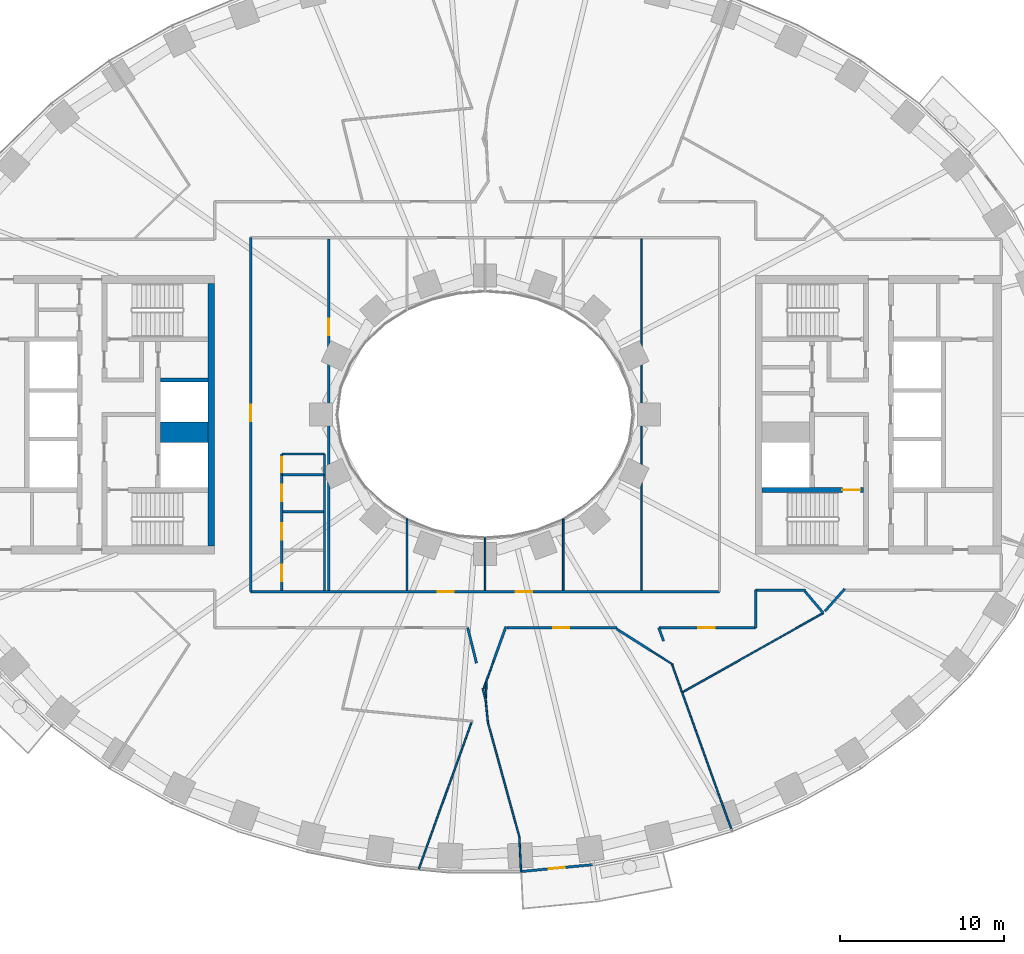
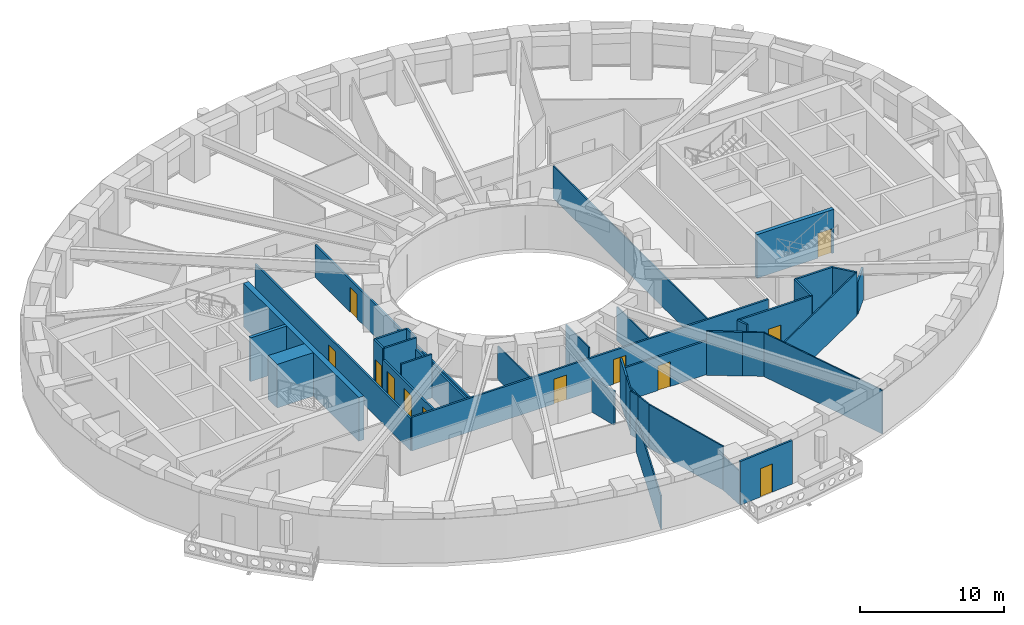
# One storey, part 4 of 16: 39 walls, 12 doors, 12 openings.
"""IFC4 building model written with IfcOpenShell, lengths in metres."""

import ifcopenshell
import ifcopenshell.guid

model = None  # the IFC model being written
_history = None  # IfcOwnerHistory: only IFC2X3 demands one
_inside = {}  # id of a spatial element -> (the spatial element, [elements in it])
_under = {}  # id of a project, library or spatial element -> (it, [spatial elements below it])
_declared = {}  # id of a project -> (the project, [libraries it declares])
_typed = {}  # id of a type object -> (the type object, [elements of that type])
_made_of = {}  # id of a material, layer set ... -> (it, [elements and type objects made of it])


def new_model(schema):
    """Start an empty IFC model of exactly this schema.

    Asked for "IFC4X3", IfcOpenShell would pick the latest addendum, in which some entities
    have other attributes; the version numbers below select the first issue.
    IFC2X3 requires an IfcOwnerHistory on every rooted entity: one is made here for all.
    """
    global model, _history
    if schema == "IFC4X3":
        model = ifcopenshell.file(schema_version=(4, 3, 0, 0))
    else:
        model = ifcopenshell.file(schema=schema)
    _inside.clear()
    _under.clear()
    _declared.clear()
    _typed.clear()
    _made_of.clear()
    _history = None
    if model.schema == "IFC2X3":
        org = make("IfcOrganization", Name="unknown")
        user = make(
            "IfcPersonAndOrganization",
            ThePerson=make("IfcPerson", FamilyName="unknown"),
            TheOrganization=org,
        )
        app = make(
            "IfcApplication",
            ApplicationDeveloper=org,
            Version="unknown",
            ApplicationFullName="unknown",
            ApplicationIdentifier="unknown",
        )
        _history = make(
            "IfcOwnerHistory",
            OwningUser=user,
            OwningApplication=app,
            ChangeAction="ADDED",
            CreationDate=0,
        )
    return model


def make(cls, **values):
    """One entity of the class cls with the attributes given. An attribute that is None is left unset."""
    return model.create_entity(
        cls, **{name: value for name, value in values.items() if value is not None}
    )


def rooted(cls, **values):
    """An entity with a GlobalId (a new one), such as an element, a storey or a relation."""
    return make(cls, GlobalId=ifcopenshell.guid.new(), OwnerHistory=_history, **values)


def si_unit(unit_type, name, prefix=None):
    """IfcSIUnit, for example si_unit("LENGTHUNIT", "METRE", prefix="MILLI")."""
    return make("IfcSIUnit", UnitType=unit_type, Prefix=prefix, Name=name)


def assignment(units):
    """IfcUnitAssignment: the units of a project."""
    return None if units is None else make("IfcUnitAssignment", Units=units)


def point(xyz):
    """IfcCartesianPoint."""
    return None if xyz is None else make("IfcCartesianPoint", Coordinates=xyz)


def direction(xyz):
    """IfcDirection."""
    return None if xyz is None else make("IfcDirection", DirectionRatios=xyz)


def frame(location, z_axis=None, x_axis=None):
    """IfcAxis2Placement3D, a coordinate frame: its origin and axes. An axis left out is left unset."""
    return make(
        "IfcAxis2Placement3D",
        Location=point(location),
        Axis=direction(z_axis),
        RefDirection=direction(x_axis),
    )


def frame_2d(location, x_axis=None):
    """IfcAxis2Placement2D, a coordinate frame in the plane: its origin and x axis."""
    return make(
        "IfcAxis2Placement2D", Location=point(location), RefDirection=direction(x_axis)
    )


def origin():
    """The frame at (0, 0, 0) with its axes left unset."""
    return frame((0.0, 0.0, 0.0))


def place(relative_to, where):
    """IfcLocalPlacement: puts the frame where relative to a parent placement (None: the world)."""
    return make(
        "IfcLocalPlacement", PlacementRelTo=relative_to, RelativePlacement=where
    )


def context(
    kind, dimensions, precision=None, world=None, true_north=None, identifier=None
):
    """IfcGeometricRepresentationContext, for example the 3D "Model" context."""
    return make(
        "IfcGeometricRepresentationContext",
        ContextIdentifier=identifier,
        ContextType=kind,
        CoordinateSpaceDimension=dimensions,
        Precision=precision,
        WorldCoordinateSystem=world,
        TrueNorth=true_north,
    )


def subcontext(parent, identifier, kind, view, scale=None):
    """IfcGeometricRepresentationSubContext, for example "Body" below "Model"."""
    return make(
        "IfcGeometricRepresentationSubContext",
        ContextIdentifier=identifier,
        ContextType=kind,
        ParentContext=parent,
        TargetScale=scale,
        TargetView=view,
    )


def project(units=None, contexts=None):
    """IfcProject with its units and contexts."""
    return rooted(
        "IfcProject",
        Name="project",
        RepresentationContexts=contexts,
        UnitsInContext=assignment(units),
    )


def spatial(cls, under=None, at=None, **own):
    """A site, building, storey or space (cls), placed at a placement, below another one or the project."""
    s = rooted(cls, ObjectPlacement=at, **own)
    if under is not None:
        _under.setdefault(under.id(), (under, []))[1].append(s)
    return s


def profile(cls, at=None, kind="AREA", **sizes):
    """A parametric profile (cls). Its sizes go by their IFC names, for example OverallWidth=200.0."""
    return make(cls, ProfileType=kind, Position=at, **sizes)


def rectangle(**sizes):
    """IfcRectangleProfileDef."""
    return profile("IfcRectangleProfileDef", **sizes)


def extrude(swept, where, along, depth):
    """IfcExtrudedAreaSolid: the profile swept, set in the frame where, extruded along a direction by depth."""
    return make(
        "IfcExtrudedAreaSolid",
        SweptArea=swept,
        Position=where,
        ExtrudedDirection=direction(along),
        Depth=depth,
    )


def shape(context_of_items, identifier, shape_type, items):
    """IfcShapeRepresentation: the items that make up one representation, for example the "Body"."""
    return make(
        "IfcShapeRepresentation",
        ContextOfItems=context_of_items,
        RepresentationIdentifier=identifier,
        RepresentationType=shape_type,
        Items=items,
    )


def material(Name=None, Category=None):
    """IfcMaterial."""
    return make("IfcMaterial", Name=Name, Category=Category)


def layer(
    of_material, thickness, ventilated=None, Name=None, Category=None, Priority=None
):
    """IfcMaterialLayer: one layer of a wall or slab, of a material (None: an air gap)."""
    return make(
        "IfcMaterialLayer",
        Material=of_material,
        LayerThickness=thickness,
        IsVentilated=ventilated,
        Name=Name,
        Category=Category,
        Priority=Priority,
    )


def layer_set(layers, Name=None):
    """IfcMaterialLayerSet."""
    return make("IfcMaterialLayerSet", MaterialLayers=layers, LayerSetName=Name)


def made_of(thing, what):
    """Note that an element or type object is made of a material, layer set ...; save() writes the relation."""
    if what is not None:
        _made_of.setdefault(what.id(), (what, []))[1].append(thing)
    return thing


def type_object(cls, material=None, **own):
    """A type object (cls), such as IfcWallType, which elements share."""
    return made_of(rooted(cls, **own), material)


def element(
    cls,
    number,
    at=None,
    inside=None,
    cuts=None,
    type_object=None,
    material=None,
    context=None,
    identifier="Body",
    shape_type=None,
    held_by="IfcProductDefinitionShape",
    body=None,
    shapes=None,
    **own,
):
    """One element of the class cls, such as IfcWall. Its Tag is "e" and its number.

    at: its placement. inside: the storey or other place that contains it. cuts: it is an
    opening in that element (IfcRelVoidsElement). A single representation is given by context,
    identifier, shape_type and body (its items); several are given by shapes. held_by: the class
    of the entity that holds the representations. save() writes the other relations.
    """
    e = rooted(cls, Tag="e%d" % number, ObjectPlacement=at, **own)
    if body is not None:
        shapes = [shape(context, identifier, shape_type, body)]
    if shapes is not None:
        e.Representation = make(held_by, Representations=shapes)
    if inside is not None:
        _inside.setdefault(inside.id(), (inside, []))[1].append(e)
    if cuts is not None:
        rooted(
            "IfcRelVoidsElement", RelatingBuildingElement=cuts, RelatedOpeningElement=e
        )
    if type_object is not None:
        _typed.setdefault(type_object.id(), (type_object, []))[1].append(e)
    return made_of(e, material)


def fill(opening, filler):
    """IfcRelFillsElement: the door or window that sits in an opening."""
    return rooted(
        "IfcRelFillsElement",
        RelatingOpeningElement=opening,
        RelatedBuildingElement=filler,
    )


def aggregate(whole, parts):
    """IfcRelAggregates: a whole, such as a stair, and the parts it consists of."""
    return rooted("IfcRelAggregates", RelatingObject=whole, RelatedObjects=parts)


def save(model, path):
    """Write the relations noted so far, then the file.

    IfcRelAggregates (storeys below a building ...), IfcRelContainedInSpatialStructure (elements
    in a storey), IfcRelDefinesByType, IfcRelAssociatesMaterial and IfcRelDeclares: one each for
    every whole, place, type object, material and project.
    """
    for whole, parts in _under.values():
        aggregate(whole, parts)
    for where, things in _inside.values():
        rooted(
            "IfcRelContainedInSpatialStructure",
            RelatedElements=things,
            RelatingStructure=where,
        )
    for kind, things in _typed.values():
        rooted("IfcRelDefinesByType", RelatedObjects=things, RelatingType=kind)
    for what, things in _made_of.values():
        rooted("IfcRelAssociatesMaterial", RelatedObjects=things, RelatingMaterial=what)
    for by, libraries in _declared.values():
        rooted("IfcRelDeclares", RelatingContext=by, RelatedDefinitions=libraries)
    model.write(path)


model = new_model("IFC4")

# Units and contexts
model_context = context("Model", 3, precision=1e-05, world=origin(), true_north=direction((0.0, 1.0)))
body_context = subcontext(model_context, "Body", "Model", "MODEL_VIEW")
ifc_project = project(units=[si_unit("LENGTHUNIT", "METRE"), si_unit("AREAUNIT", "SQUARE_METRE"), si_unit("VOLUMEUNIT", "CUBIC_METRE"), si_unit("PLANEANGLEUNIT", "RADIAN"), si_unit("MASSUNIT", "GRAM", prefix="KILO")], contexts=[model_context])

# Site, building, storey
site_placement = place(None, origin())
site = spatial("IfcSite", under=ifc_project, at=site_placement, CompositionType="ELEMENT")
building_placement = place(site_placement, origin())
building = spatial("IfcBuilding", under=site, at=building_placement, Name="Noorbagh Ring Tower", CompositionType="ELEMENT")
storey_placement = place(building_placement, frame((0.0, 0.0, 42.5)))
storey = spatial("IfcBuildingStorey", under=building, at=storey_placement, Name="L08", CompositionType="ELEMENT", Elevation=42.5)

# Wall, opening, door
ifc_material_1 = material(Name="Gypsum board on steel studs", Category="steel")
ifc_layer_1 = layer(ifc_material_1, 0.14990234375)
ifc_layer_set_1 = layer_set([ifc_layer_1], Name="Gypsum board on steel studs")
wall_type_1 = type_object("IfcWallType", Name="COMPARTMENT PARTITION 150 EI 60", PredefinedType="PARTITIONING", material=ifc_layer_set_1)
wall_1_placement = place(storey_placement, frame((-12.39990234375, -3.659912109375, 0.0), z_axis=(0.0, 0.0, 1.0), x_axis=(0.0, 1.0, 0.0)))
wall_1 = element("IfcWall", 1, at=wall_1_placement, inside=storey, type_object=wall_type_1, Name="L08/wall/P22", PredefinedType="PARTITIONING", context=body_context, shape_type="SweptSolid", body=[
    extrude(rectangle(XDim=1.260009765625, YDim=0.14990234375, at=frame_2d((0.6298828125, 0.0))), origin(), (0.0, 0.0, 1.0), 3.699951171875),
])
opening_1_placement = place(wall_1_placement, frame((0.14990234375, 0.0, 0.0)))
opening_1 = element("IfcOpeningElement", 2, at=opening_1_placement, cuts=wall_1, Name="Opening D4", PredefinedType="OPENING", context=body_context, shape_type="SweptSolid", body=[
    extrude(rectangle(XDim=0.89990234375, YDim=2.10009765625, at=frame_2d((0.449951171875, 1.050048828125))), frame((0.0, 0.0849609375, 0.0), z_axis=(0.0, -1.0, 0.0), x_axis=(1.0, 0.0, 0.0)), (0.0, 0.0, 1.0), 0.169921875),
])
ifc_material_2 = material(Name="Timber, painted", Category="wood")
door_type_1 = type_object("IfcDoorType", Name="DOOR 900 X 2100 FD60", OperationType="SINGLE_SWING_LEFT", PredefinedType="DOOR", material=ifc_material_2)
door_1_placement = place(opening_1_placement, origin())
door_1 = element("IfcDoor", 3, at=door_1_placement, inside=storey, type_object=door_type_1, Name="L08-D05", OperationType="SINGLE_SWING_LEFT", OverallHeight=2.10009765625, OverallWidth=0.89990234375, PredefinedType="DOOR", context=body_context, shape_type="SweptSolid", body=[
    extrude(rectangle(XDim=0.89990234375, YDim=2.10009765625, at=frame_2d((0.449951171875, 1.050048828125))), frame((0.0, 0.02490234375, 0.0), z_axis=(0.0, -1.0, 0.0), x_axis=(1.0, 0.0, 0.0)), (0.0, 0.0, 1.0), 0.050048828125),
])
fill(opening_1, door_1)

# Walls
wall_2_placement = place(storey_placement, frame((-12.39990234375, -3.659912109375, 0.0), z_axis=(0.0, 0.0, 1.0), x_axis=(1.0, 0.0, 0.0)))
element("IfcWall", 4, at=wall_2_placement, inside=storey, type_object=wall_type_1, Name="L08/wall/P23", PredefinedType="PARTITIONING", context=body_context, shape_type="SweptSolid", body=[
    extrude(rectangle(XDim=2.599853515625, YDim=0.14990234375, at=frame_2d((1.2998046875, 0.0))), origin(), (0.0, 0.0, 1.0), 3.699951171875),
])
wall_3_placement = place(storey_placement, frame((-12.39990234375, -2.39990234375, 0.0), z_axis=(0.0, 0.0, 1.0), x_axis=(1.0, 0.0, 0.0)))
element("IfcWall", 5, at=wall_3_placement, inside=storey, type_object=wall_type_1, Name="L08/wall/P24", PredefinedType="PARTITIONING", context=body_context, shape_type="SweptSolid", body=[
    extrude(rectangle(XDim=2.595947265625, YDim=0.14990234375, at=frame_2d((1.2978515625, 0.0))), origin(), (0.0, 0.0, 1.0), 3.699951171875),
])
wall_4_placement = place(storey_placement, frame((-9.800048828125, -3.659912109375, 0.0), z_axis=(0.0, 0.0, 1.0), x_axis=(0.0, 1.0, 0.0)))
element("IfcWall", 6, at=wall_4_placement, inside=storey, type_object=wall_type_1, Name="L08/wall/P26", PredefinedType="PARTITIONING", context=body_context, shape_type="SweptSolid", body=[
    extrude(rectangle(XDim=1.255859375, YDim=0.14990234375, at=frame_2d((0.6279296875, 0.0))), origin(), (0.0, 0.0, 1.0), 3.699951171875),
])
ifc_material_3 = material(Name="Concrete C70/85", Category="concrete")
ifc_layer_2 = layer(ifc_material_3, 1.25)
ifc_layer_set_2 = layer_set([ifc_layer_2], Name="Concrete C70/85")
wall_type_2 = type_object("IfcWallType", Name="CORE-WALL-1250-C70-85-EI120", PredefinedType="SHEAR", material=ifc_layer_set_2)
wall_5_placement = place(storey_placement, frame((-16.89990234375, -1.074951171875, 0.0), z_axis=(0.0, 0.0, 1.0), x_axis=(-1.0, 0.0, 0.0)))
element("IfcWall", 7, at=wall_5_placement, inside=storey, type_object=wall_type_2, Name="Core wall W", PredefinedType="SHEAR", context=body_context, shape_type="SweptSolid", body=[
    extrude(rectangle(XDim=2.900146484375, YDim=1.25, at=frame_2d((1.4501953125, 0.0))), origin(), (0.0, 0.0, 1.0), 3.699951171875),
])
ifc_material_4 = material(Name="Concrete C70/85", Category="concrete")
ifc_layer_3 = layer(ifc_material_4, 0.25)
ifc_layer_set_3 = layer_set([ifc_layer_3], Name="Concrete C70/85")
wall_type_3 = type_object("IfcWallType", Name="CORE-WALL-250-C70-85-EI120", PredefinedType="SHEAR", material=ifc_layer_set_3)
wall_6_placement = place(storey_placement, frame((-16.89990234375, 2.125, 0.0), z_axis=(0.0, 0.0, 1.0), x_axis=(-1.0, 0.0, 0.0)))
element("IfcWall", 8, at=wall_6_placement, inside=storey, type_object=wall_type_3, Name="Core wall W", PredefinedType="SHEAR", context=body_context, shape_type="SweptSolid", body=[
    extrude(rectangle(XDim=2.900146484375, YDim=0.25, at=frame_2d((1.4501953125, 0.0))), origin(), (0.0, 0.0, 1.0), 3.699951171875),
])

# Wall, opening, door
ifc_material_5 = material(Name="Concrete C70/85", Category="concrete")
ifc_layer_4 = layer(ifc_material_5, 0.300048828125)
ifc_layer_set_4 = layer_set([ifc_layer_4], Name="Concrete C70/85")
wall_type_4 = type_object("IfcWallType", Name="CORE-WALL-300-C70-85-EI240", PredefinedType="SHEAR", material=ifc_layer_set_4)
wall_7_placement = place(storey_placement, frame((16.89990234375, -4.60009765625, 0.0), z_axis=(0.0, 0.0, 1.0), x_axis=(1.0, 0.0, 0.0)))
wall_7 = element("IfcWall", 9, at=wall_7_placement, inside=storey, type_object=wall_type_4, Name="Core wall E", PredefinedType="SHEAR", context=body_context, shape_type="SweptSolid", body=[
    extrude(rectangle(XDim=6.18017578125, YDim=0.300048828125, at=frame_2d((3.090087890625, 0.0))), origin(), (0.0, 0.0, 1.0), 3.699951171875),
])
opening_2_placement = place(wall_7_placement, frame((4.89990234375, 0.0, 0.0)))
opening_2 = element("IfcOpeningElement", 10, at=opening_2_placement, cuts=wall_7, Name="Opening L08-CE06", PredefinedType="OPENING", context=body_context, shape_type="SweptSolid", body=[
    extrude(rectangle(XDim=1.10009765625, YDim=2.10009765625, at=frame_2d((0.550048828125, 1.050048828125))), frame((0.0, 0.16015625, 0.0), z_axis=(0.0, -1.0, 0.0), x_axis=(1.0, 0.0, 0.0)), (0.0, 0.0, 1.0), 0.320068359375),
])
ifc_material_6 = material(Name="Steel door leaf", Category="steel")
door_type_2 = type_object("IfcDoorType", Name="CORE-DOOR-DSTAIR", OperationType="SINGLE_SWING_LEFT", PredefinedType="DOOR", material=ifc_material_6)
door_2_placement = place(opening_2_placement, origin())
door_2 = element("IfcDoor", 11, at=door_2_placement, inside=storey, type_object=door_type_2, Name="Stair door ST4 L08-CE06", OperationType="SINGLE_SWING_RIGHT", OverallHeight=2.10009765625, OverallWidth=1.10009765625, PredefinedType="DOOR", context=body_context, shape_type="SweptSolid", body=[
    extrude(rectangle(XDim=1.10009765625, YDim=2.10009765625, at=frame_2d((0.550048828125, 1.050048828125))), frame((0.0, 0.02490234375, 0.0), z_axis=(0.0, -1.0, 0.0), x_axis=(1.0, 0.0, 0.0)), (0.0, 0.0, 1.0), 0.050048828125),
])
fill(opening_2, door_2)

# Wall
ifc_material_7 = material(Name="Concrete C70/85", Category="concrete")
ifc_layer_5 = layer(ifc_material_7, 0.39990234375)
ifc_layer_set_5 = layer_set([ifc_layer_5], Name="Concrete C70/85")
wall_type_5 = type_object("IfcWallType", Name="CORE-WALL-400-C70-85-EI240", PredefinedType="SHEAR", material=ifc_layer_set_5)
wall_8_placement = place(storey_placement, frame((-16.699951171875, -8.0, 0.0), z_axis=(0.0, 0.0, 1.0), x_axis=(0.0, 1.0, 0.0)))
element("IfcWall", 12, at=wall_8_placement, inside=storey, type_object=wall_type_5, Name="Core wall W", PredefinedType="SHEAR", context=body_context, shape_type="SweptSolid", body=[
    extrude(rectangle(XDim=16.0, YDim=0.39990234375, at=frame_2d((8.0, 0.0))), origin(), (0.0, 0.0, 1.0), 3.699951171875),
])

# Wall, opening, door
ifc_material_8 = material(Name="Gypsum board on steel studs", Category="steel")
ifc_layer_6 = layer(ifc_material_8, 0.14990234375)
ifc_layer_set_6 = layer_set([ifc_layer_6], Name="Gypsum board on steel studs")
wall_type_6 = type_object("IfcWallType", Name="CORRIDOR PARTITION 150 EI 30", PredefinedType="PARTITIONING", material=ifc_layer_set_6)
wall_9_placement = place(storey_placement, frame((-14.300048828125, -10.800048828125, 0.0), z_axis=(0.0, 0.0, 1.0), x_axis=(0.0, 1.0, 0.0)))
wall_9 = element("IfcWall", 13, at=wall_9_placement, inside=storey, type_object=wall_type_6, Name="L08/wall/P16", PredefinedType="PARTITIONING", context=body_context, shape_type="SweptSolid", body=[
    extrude(rectangle(XDim=21.60009765625, YDim=0.14990234375, at=frame_2d((10.800048828125, 0.0))), origin(), (0.0, 0.0, 1.0), 2.75),
])
opening_3_placement = place(wall_9_placement, frame((10.39990234375, 0.0, 0.0)))
opening_3 = element("IfcOpeningElement", 14, at=opening_3_placement, cuts=wall_9, Name="Opening D1", PredefinedType="OPENING", context=body_context, shape_type="SweptSolid", body=[
    extrude(rectangle(XDim=1.0, YDim=2.10009765625, at=frame_2d((0.5, 1.050048828125))), frame((0.0, 0.0849609375, 0.0), z_axis=(0.0, -1.0, 0.0), x_axis=(1.0, 0.0, 0.0)), (0.0, 0.0, 1.0), 0.169921875),
])
ifc_material_9 = material(Name="Timber, painted", Category="wood")
door_type_3 = type_object("IfcDoorType", Name="DOOR 1000 X 2100 FD30", OperationType="SINGLE_SWING_LEFT", PredefinedType="DOOR", material=ifc_material_9)
door_3_placement = place(opening_3_placement, origin())
door_3 = element("IfcDoor", 15, at=door_3_placement, inside=storey, type_object=door_type_3, Name="L08-D01", OperationType="SINGLE_SWING_LEFT", OverallHeight=2.10009765625, OverallWidth=1.0, PredefinedType="DOOR", context=body_context, shape_type="SweptSolid", body=[
    extrude(rectangle(XDim=1.0, YDim=2.10009765625, at=frame_2d((0.5, 1.050048828125))), frame((0.0, 0.02490234375, 0.0), z_axis=(0.0, -1.0, 0.0), x_axis=(1.0, 0.0, 0.0)), (0.0, 0.0, 1.0), 0.050048828125),
])
fill(opening_3, door_3)

# Wall, openings, doors
wall_10_placement = place(storey_placement, frame((-14.300048828125, -10.800048828125, 0.0), z_axis=(0.0, 0.0, 1.0), x_axis=(1.0, 0.0, 0.0)))
wall_10 = element("IfcWall", 16, at=wall_10_placement, inside=storey, type_object=wall_type_6, Name="L08/wall/P17", PredefinedType="PARTITIONING", context=body_context, shape_type="SweptSolid", body=[
    extrude(rectangle(XDim=28.60009765625, YDim=0.14990234375, at=frame_2d((14.300048828125, 0.0))), origin(), (0.0, 0.0, 1.0), 2.85009765625),
])
opening_4_placement = place(wall_10_placement, frame((11.39990234375, 0.0, 0.0)))
opening_4 = element("IfcOpeningElement", 17, at=opening_4_placement, cuts=wall_10, Name="Opening D1", PredefinedType="OPENING", context=body_context, shape_type="SweptSolid", body=[
    extrude(rectangle(XDim=1.0, YDim=2.10009765625, at=frame_2d((0.5, 1.050048828125))), frame((0.0, 0.0849609375, 0.0), z_axis=(0.0, -1.0, 0.0), x_axis=(1.0, 0.0, 0.0)), (0.0, 0.0, 1.0), 0.169921875),
])
opening_5_placement = place(wall_10_placement, frame((16.1669921875, 0.0, 0.0)))
opening_5 = element("IfcOpeningElement", 18, at=opening_5_placement, cuts=wall_10, Name="Opening D1", PredefinedType="OPENING", context=body_context, shape_type="SweptSolid", body=[
    extrude(rectangle(XDim=1.0, YDim=2.10009765625, at=frame_2d((0.5, 1.050048828125))), frame((0.0, 0.0849609375, 0.0), z_axis=(0.0, -1.0, 0.0), x_axis=(1.0, 0.0, 0.0)), (0.0, 0.0, 1.0), 0.169921875),
])
door_4_placement = place(opening_4_placement, origin())
door_4 = element("IfcDoor", 19, at=door_4_placement, inside=storey, type_object=door_type_3, Name="L08-D21", OperationType="SINGLE_SWING_LEFT", OverallHeight=2.10009765625, OverallWidth=1.0, PredefinedType="DOOR", context=body_context, shape_type="SweptSolid", body=[
    extrude(rectangle(XDim=1.0, YDim=2.10009765625, at=frame_2d((0.5, 1.050048828125))), frame((0.0, 0.02490234375, 0.0), z_axis=(0.0, -1.0, 0.0), x_axis=(1.0, 0.0, 0.0)), (0.0, 0.0, 1.0), 0.050048828125),
])
fill(opening_4, door_4)
door_5_placement = place(opening_5_placement, origin())
door_5 = element("IfcDoor", 20, at=door_5_placement, inside=storey, type_object=door_type_3, Name="L08-D23", OperationType="SINGLE_SWING_LEFT", OverallHeight=2.10009765625, OverallWidth=1.0, PredefinedType="DOOR", context=body_context, shape_type="SweptSolid", body=[
    extrude(rectangle(XDim=1.0, YDim=2.10009765625, at=frame_2d((0.5, 1.050048828125))), frame((0.0, 0.02490234375, 0.0), z_axis=(0.0, -1.0, 0.0), x_axis=(1.0, 0.0, 0.0)), (0.0, 0.0, 1.0), 0.050048828125),
])
fill(opening_5, door_5)

wall_11_placement = place(storey_placement, frame((-12.39990234375, -10.72509765625, 0.0), z_axis=(0.0, 0.0, 1.0), x_axis=(0.0, 1.0, 0.0)))
wall_11 = element("IfcWall", 21, at=wall_11_placement, inside=storey, type_object=wall_type_6, Name="L08/wall/P19", PredefinedType="PARTITIONING", context=body_context, shape_type="SweptSolid", body=[
    extrude(rectangle(XDim=7.065185546875, YDim=0.14990234375, at=frame_2d((3.53271484375, 0.0))), origin(), (0.0, 0.0, 1.0), 2.75),
])
opening_6_placement = place(wall_11_placement, frame((0.574951171875, 0.0, 0.0)))
opening_6 = element("IfcOpeningElement", 22, at=opening_6_placement, cuts=wall_11, Name="Opening D3", PredefinedType="OPENING", context=body_context, shape_type="SweptSolid", body=[
    extrude(rectangle(XDim=1.0, YDim=2.10009765625, at=frame_2d((0.5, 1.050048828125))), frame((0.0, 0.0849609375, 0.0), z_axis=(0.0, -1.0, 0.0), x_axis=(1.0, 0.0, 0.0)), (0.0, 0.0, 1.0), 0.169921875),
])
opening_7_placement = place(wall_11_placement, frame((3.094970703125, 0.0, 0.0)))
opening_7 = element("IfcOpeningElement", 23, at=opening_7_placement, cuts=wall_11, Name="Opening D3", PredefinedType="OPENING", context=body_context, shape_type="SweptSolid", body=[
    extrude(rectangle(XDim=1.0, YDim=2.10009765625, at=frame_2d((0.5, 1.050048828125))), frame((0.0, 0.0849609375, 0.0), z_axis=(0.0, -1.0, 0.0), x_axis=(1.0, 0.0, 0.0)), (0.0, 0.0, 1.0), 0.169921875),
])
opening_8_placement = place(wall_11_placement, frame((5.447021484375, 0.0, 0.0)))
opening_8 = element("IfcOpeningElement", 24, at=opening_8_placement, cuts=wall_11, Name="Opening D3", PredefinedType="OPENING", context=body_context, shape_type="SweptSolid", body=[
    extrude(rectangle(XDim=1.0, YDim=2.10009765625, at=frame_2d((0.5, 1.050048828125))), frame((0.0, 0.0849609375, 0.0), z_axis=(0.0, -1.0, 0.0), x_axis=(1.0, 0.0, 0.0)), (0.0, 0.0, 1.0), 0.169921875),
])
ifc_material_10 = material(Name="Timber, painted", Category="wood")
door_type_4 = type_object("IfcDoorType", Name="DOOR 1000 X 2100 WC", OperationType="SINGLE_SWING_LEFT", PredefinedType="DOOR", material=ifc_material_10)
door_6_placement = place(opening_6_placement, origin())
door_6 = element("IfcDoor", 25, at=door_6_placement, inside=storey, type_object=door_type_4, Name="L08-D02", OperationType="SINGLE_SWING_RIGHT", OverallHeight=2.10009765625, OverallWidth=1.0, PredefinedType="DOOR", context=body_context, shape_type="SweptSolid", body=[
    extrude(rectangle(XDim=1.0, YDim=2.10009765625, at=frame_2d((0.5, 1.050048828125))), frame((0.0, 0.02490234375, 0.0), z_axis=(0.0, -1.0, 0.0), x_axis=(1.0, 0.0, 0.0)), (0.0, 0.0, 1.0), 0.050048828125),
])
fill(opening_6, door_6)
door_7_placement = place(opening_7_placement, origin())
door_7 = element("IfcDoor", 26, at=door_7_placement, inside=storey, type_object=door_type_4, Name="L08-D03", OperationType="SINGLE_SWING_LEFT", OverallHeight=2.10009765625, OverallWidth=1.0, PredefinedType="DOOR", context=body_context, shape_type="SweptSolid", body=[
    extrude(rectangle(XDim=1.0, YDim=2.10009765625, at=frame_2d((0.5, 1.050048828125))), frame((0.0, 0.02490234375, 0.0), z_axis=(0.0, -1.0, 0.0), x_axis=(1.0, 0.0, 0.0)), (0.0, 0.0, 1.0), 0.050048828125),
])
fill(opening_7, door_7)
door_8_placement = place(opening_8_placement, origin())
door_8 = element("IfcDoor", 27, at=door_8_placement, inside=storey, type_object=door_type_4, Name="L08-D04", OperationType="SINGLE_SWING_RIGHT", OverallHeight=2.10009765625, OverallWidth=1.0, PredefinedType="DOOR", context=body_context, shape_type="SweptSolid", body=[
    extrude(rectangle(XDim=1.0, YDim=2.10009765625, at=frame_2d((0.5, 1.050048828125))), frame((0.0, 0.02490234375, 0.0), z_axis=(0.0, -1.0, 0.0), x_axis=(1.0, 0.0, 0.0)), (0.0, 0.0, 1.0), 0.050048828125),
])
fill(opening_8, door_8)

# Walls
wall_12_placement = place(storey_placement, frame((-12.324951171875, -5.927978515625, 0.0), z_axis=(0.0, 0.0, 1.0), x_axis=(1.0, 0.0, 0.0)))
element("IfcWall", 28, at=wall_12_placement, inside=storey, type_object=wall_type_6, Name="L08/wall/P21", PredefinedType="PARTITIONING", context=body_context, shape_type="SweptSolid", body=[
    extrude(rectangle(XDim=2.449951171875, YDim=0.14990234375, at=frame_2d((1.22509765625, 0.0))), origin(), (0.0, 0.0, 1.0), 3.699951171875),
])
wall_13_placement = place(storey_placement, frame((-9.800048828125, -10.72509765625, 0.0), z_axis=(0.0, 0.0, 1.0), x_axis=(0.0, 1.0, 0.0)))
element("IfcWall", 29, at=wall_13_placement, inside=storey, type_object=wall_type_6, Name="L08/wall/P25", PredefinedType="PARTITIONING", context=body_context, shape_type="SweptSolid", body=[
    extrude(rectangle(XDim=7.065185546875, YDim=0.14990234375, at=frame_2d((3.53271484375, 0.0))), origin(), (0.0, 0.0, 1.0), 2.75),
])

# Wall, opening, door
wall_14_placement = place(storey_placement, frame((-9.532958984375, -10.72509765625, 0.0), z_axis=(0.0, 0.0, 1.0), x_axis=(0.0, 1.0, 0.0)))
wall_14 = element("IfcWall", 30, at=wall_14_placement, inside=storey, type_object=wall_type_6, Name="L08/wall/P27", PredefinedType="PARTITIONING", context=body_context, shape_type="SweptSolid", body=[
    extrude(rectangle(XDim=21.4501953125, YDim=0.14990234375, at=frame_2d((10.72509765625, 0.0))), origin(), (0.0, 0.0, 1.0), 2.75),
])
opening_9_placement = place(wall_14_placement, frame((15.574951171875, 0.0, 0.0)))
opening_9 = element("IfcOpeningElement", 31, at=opening_9_placement, cuts=wall_14, Name="Opening D1", PredefinedType="OPENING", context=body_context, shape_type="SweptSolid", body=[
    extrude(rectangle(XDim=1.0, YDim=2.10009765625, at=frame_2d((0.5, 1.050048828125))), frame((0.0, 0.0849609375, 0.0), z_axis=(0.0, -1.0, 0.0), x_axis=(1.0, 0.0, 0.0)), (0.0, 0.0, 1.0), 0.169921875),
])
door_9_placement = place(opening_9_placement, origin())
door_9 = element("IfcDoor", 32, at=door_9_placement, inside=storey, type_object=door_type_3, Name="L08-D20", OperationType="SINGLE_SWING_RIGHT", OverallHeight=2.10009765625, OverallWidth=1.0, PredefinedType="DOOR", context=body_context, shape_type="SweptSolid", body=[
    extrude(rectangle(XDim=1.0, YDim=2.10009765625, at=frame_2d((0.5, 1.050048828125))), frame((0.0, 0.02490234375, 0.0), z_axis=(0.0, -1.0, 0.0), x_axis=(1.0, 0.0, 0.0)), (0.0, 0.0, 1.0), 0.050048828125),
])
fill(opening_9, door_9)

# Walls
wall_15_placement = place(storey_placement, frame((-1.06103515625, -13.0, 0.0), z_axis=(0.0, 0.0, 1.0), x_axis=(0.240081023427, -0.9707528533, 0.0)))
element("IfcWall", 33, at=wall_15_placement, inside=storey, type_object=wall_type_6, Name="L08/wall/P38", PredefinedType="PARTITIONING", context=body_context, shape_type="SweptSolid", body=[
    extrude(rectangle(XDim=2.223876953125, YDim=0.14990234375, at=frame_2d((1.11181640625, 0.0))), origin(), (0.0, 0.0, 1.0), 2.85009765625),
])
wall_16_placement = place(storey_placement, frame((0.4990234375, -15.074951171875, 0.0), z_axis=(0.0, 0.0, 1.0), x_axis=(0.338871070746, 0.940832821181, 0.0)))
element("IfcWall", 34, at=wall_16_placement, inside=storey, type_object=wall_type_6, Name="L08/wall/P52", PredefinedType="PARTITIONING", context=body_context, shape_type="SweptSolid", body=[
    extrude(rectangle(XDim=2.281005859375, YDim=0.14990234375, at=frame_2d((1.140625, 0.0))), origin(), (0.0, 0.0, 1.0), 3.699951171875),
])

# Wall, opening, door
wall_17_placement = place(storey_placement, frame((1.325927734375, -13.0, 0.0), z_axis=(0.0, 0.0, 1.0), x_axis=(1.0, 0.0, 0.0)))
wall_17 = element("IfcWall", 35, at=wall_17_placement, inside=storey, type_object=wall_type_6, Name="L08/wall/P54", PredefinedType="PARTITIONING", context=body_context, shape_type="SweptSolid", body=[
    extrude(rectangle(XDim=6.72119140625, YDim=0.14990234375, at=frame_2d((3.360595703125, 0.0))), origin(), (0.0, 0.0, 1.0), 2.85009765625),
])
opening_10_placement = place(wall_17_placement, frame((2.820068359375, 0.0, 0.0)))
opening_10 = element("IfcOpeningElement", 36, at=opening_10_placement, cuts=wall_17, Name="Opening D1", PredefinedType="OPENING", context=body_context, shape_type="SweptSolid", body=[
    extrude(rectangle(XDim=1.0, YDim=2.10009765625, at=frame_2d((0.5, 1.050048828125))), frame((0.0, 0.0849609375, 0.0), z_axis=(0.0, -1.0, 0.0), x_axis=(1.0, 0.0, 0.0)), (0.0, 0.0, 1.0), 0.169921875),
])
door_10_placement = place(opening_10_placement, origin())
door_10 = element("IfcDoor", 37, at=door_10_placement, inside=storey, type_object=door_type_3, Name="L08-D14", OperationType="SINGLE_SWING_RIGHT", OverallHeight=2.10009765625, OverallWidth=1.0, PredefinedType="DOOR", context=body_context, shape_type="SweptSolid", body=[
    extrude(rectangle(XDim=1.0, YDim=2.10009765625, at=frame_2d((0.5, 1.050048828125))), frame((0.0, 0.02490234375, 0.0), z_axis=(0.0, -1.0, 0.0), x_axis=(1.0, 0.0, 0.0)), (0.0, 0.0, 1.0), 0.050048828125),
])
fill(opening_10, door_10)

# Walls
wall_18_placement = place(storey_placement, frame((8.028076171875, -13.076904296875, 0.0), z_axis=(0.0, 0.0, 1.0), x_axis=(0.844718865656, -0.53521027457, 0.0)))
element("IfcWall", 38, at=wall_18_placement, inside=storey, type_object=wall_type_6, Name="L08/wall/P60", PredefinedType="PARTITIONING", context=body_context, shape_type="SweptSolid", body=[
    extrude(rectangle(XDim=2.49658203125, YDim=0.14990234375, at=frame_2d((1.248291015625, 0.0))), origin(), (0.0, 0.0, 1.0), 3.699951171875),
])
wall_19_placement = place(storey_placement, frame((10.594970703125, -13.0, 0.0), z_axis=(0.0, 0.0, 1.0), x_axis=(0.338378813476, -0.941009977944, 0.0)))
element("IfcWall", 39, at=wall_19_placement, inside=storey, type_object=wall_type_6, Name="L08/wall/P65", PredefinedType="PARTITIONING", context=body_context, shape_type="SweptSolid", body=[
    extrude(rectangle(XDim=0.863037109375, YDim=0.14990234375, at=frame_2d((0.431640625, 0.0))), origin(), (0.0, 0.0, 1.0), 3.699951171875),
])

# Wall, opening, door
wall_20_placement = place(storey_placement, frame((10.60693359375, -13.0, 0.0), z_axis=(0.0, 0.0, 1.0), x_axis=(1.0, 0.0, 0.0)))
wall_20 = element("IfcWall", 40, at=wall_20_placement, inside=storey, type_object=wall_type_6, Name="L08/wall/P67", PredefinedType="PARTITIONING", context=body_context, shape_type="SweptSolid", body=[
    extrude(rectangle(XDim=5.89306640625, YDim=0.14990234375, at=frame_2d((2.946533203125, 0.0))), origin(), (0.0, 0.0, 1.0), 3.699951171875),
])
opening_11_placement = place(wall_20_placement, frame((2.39990234375, 0.0, 0.0)))
opening_11 = element("IfcOpeningElement", 41, at=opening_11_placement, cuts=wall_20, Name="Opening D1", PredefinedType="OPENING", context=body_context, shape_type="SweptSolid", body=[
    extrude(rectangle(XDim=1.0, YDim=2.10009765625, at=frame_2d((0.5, 1.050048828125))), frame((0.0, 0.0849609375, 0.0), z_axis=(0.0, -1.0, 0.0), x_axis=(1.0, 0.0, 0.0)), (0.0, 0.0, 1.0), 0.169921875),
])
door_11_placement = place(opening_11_placement, origin())
door_11 = element("IfcDoor", 42, at=door_11_placement, inside=storey, type_object=door_type_3, Name="L08-D16", OperationType="SINGLE_SWING_RIGHT", OverallHeight=2.10009765625, OverallWidth=1.0, PredefinedType="DOOR", context=body_context, shape_type="SweptSolid", body=[
    extrude(rectangle(XDim=1.0, YDim=2.10009765625, at=frame_2d((0.5, 1.050048828125))), frame((0.0, 0.02490234375, 0.0), z_axis=(0.0, -1.0, 0.0), x_axis=(1.0, 0.0, 0.0)), (0.0, 0.0, 1.0), 0.050048828125),
])
fill(opening_11, door_11)

# Walls
wall_21_placement = place(storey_placement, frame((16.5, -13.0, 0.0), z_axis=(0.0, 0.0, 1.0), x_axis=(0.0, 1.0, 0.0)))
element("IfcWall", 43, at=wall_21_placement, inside=storey, type_object=wall_type_6, Name="L08/wall/P74", PredefinedType="PARTITIONING", context=body_context, shape_type="SweptSolid", body=[
    extrude(rectangle(XDim=2.300048828125, YDim=0.14990234375, at=frame_2d((1.14990234375, 0.0))), origin(), (0.0, 0.0, 1.0), 3.699951171875),
])
wall_22_placement = place(storey_placement, frame((16.5, -10.699951171875, 0.0), z_axis=(0.0, 0.0, 1.0), x_axis=(1.0, 0.0, 0.0)))
element("IfcWall", 44, at=wall_22_placement, inside=storey, type_object=wall_type_6, Name="L08/wall/P75", PredefinedType="PARTITIONING", context=body_context, shape_type="SweptSolid", body=[
    extrude(rectangle(XDim=3.04296875, YDim=0.14990234375, at=frame_2d((1.521484375, 0.0))), origin(), (0.0, 0.0, 1.0), 3.699951171875),
])
wall_23_placement = place(storey_placement, frame((19.510986328125, -10.778076171875, 0.0), z_axis=(0.0, 0.0, 1.0), x_axis=(0.646491141339, -0.762921492796, 0.0)))
element("IfcWall", 45, at=wall_23_placement, inside=storey, type_object=wall_type_6, Name="L08/wall/P78", PredefinedType="PARTITIONING", context=body_context, shape_type="SweptSolid", body=[
    extrude(rectangle(XDim=1.734130859375, YDim=0.14990234375, at=frame_2d((0.8671875, 0.0))), origin(), (0.0, 0.0, 1.0), 3.699951171875),
])
wall_24_placement = place(storey_placement, frame((20.72705078125, -11.993896484375, 0.0), z_axis=(0.0, 0.0, 1.0), x_axis=(0.663767495264, 0.747938976275, 0.0)))
element("IfcWall", 46, at=wall_24_placement, inside=storey, type_object=wall_type_6, Name="L08/wall/P80", PredefinedType="PARTITIONING", context=body_context, shape_type="SweptSolid", body=[
    extrude(rectangle(XDim=1.830322265625, YDim=0.14990234375, at=frame_2d((0.9150390625, 0.0))), origin(), (0.0, 0.0, 1.0), 2.75),
])

# Wall, opening, door
ifc_material_11 = material(Name="Insulated aluminium clad panel", Category="aluminium")
ifc_layer_7 = layer(ifc_material_11, 0.14990234375)
ifc_layer_set_7 = layer_set([ifc_layer_7], Name="Insulated aluminium clad panel")
wall_type_7 = type_object("IfcWallType", Name="ENV-WALL-DOOR", PredefinedType="STANDARD", material=ifc_layer_set_7)
wall_25_placement = place(storey_placement, frame((2.166259765625, -27.875244140625, 0.0), z_axis=(0.0, 0.0, 1.0), x_axis=(0.995473879823, 0.095035543824, 0.0)))
wall_25 = element("IfcWall", 47, at=wall_25_placement, inside=storey, type_object=wall_type_7, Name="Balcony door wall chord 36", PredefinedType="STANDARD", context=body_context, shape_type="SweptSolid", body=[
    extrude(rectangle(XDim=4.42626953125, YDim=0.14990234375, at=frame_2d((2.213134765625, 0.0))), origin(), (0.0, 0.0, 1.0), 3.699951171875),
])
opening_12_placement = place(wall_25_placement, frame((1.713134765625, 0.0, 0.0)))
opening_12 = element("IfcOpeningElement", 48, at=opening_12_placement, cuts=wall_25, Name="Opening D-BL", PredefinedType="OPENING", context=body_context, shape_type="SweptSolid", body=[
    extrude(rectangle(XDim=1.0, YDim=2.39990234375, at=frame_2d((0.5, 1.199951171875))), frame((0.0, 0.0849609375, 0.0), z_axis=(0.0, -1.0, 0.0), x_axis=(1.0, 0.0, 0.0)), (0.0, 0.0, 1.0), 0.169921875),
])
ifc_material_12 = material(Name="Aluminium and glass", Category="aluminium")
door_type_5 = type_object("IfcDoorType", Name="ENV-DOOR-BALCONY", OperationType="SINGLE_SWING_LEFT", PredefinedType="DOOR", material=ifc_material_12)
door_12_placement = place(opening_12_placement, origin())
door_12 = element("IfcDoor", 49, at=door_12_placement, inside=storey, type_object=door_type_5, Name="Balcony door chord 36", OperationType="SINGLE_SWING_LEFT", OverallHeight=2.39990234375, OverallWidth=1.0, PredefinedType="DOOR", context=body_context, shape_type="SweptSolid", body=[
    extrude(rectangle(XDim=1.0, YDim=2.39990234375, at=frame_2d((0.5, 1.199951171875))), frame((0.0, 0.02490234375, 0.0), z_axis=(0.0, -1.0, 0.0), x_axis=(1.0, 0.0, 0.0)), (0.0, 0.0, 1.0), 0.050048828125),
])
fill(opening_12, door_12)

# Walls
ifc_material_13 = material(Name="Gypsum board on steel studs", Category="steel")
ifc_layer_8 = layer(ifc_material_13, 0.10009765625)
ifc_layer_set_8 = layer_set([ifc_layer_8], Name="Gypsum board on steel studs")
wall_type_8 = type_object("IfcWallType", Name="PARTITION 100 GYPSUM", PredefinedType="PARTITIONING", material=ifc_layer_set_8)
wall_26_placement = place(storey_placement, frame((-4.76708984375, -10.72509765625, 0.0), z_axis=(0.0, 0.0, 1.0), x_axis=(0.0, 1.0, 0.0)))
element("IfcWall", 50, at=wall_26_placement, inside=storey, type_object=wall_type_8, Name="L08/wall/P34", PredefinedType="PARTITIONING", context=body_context, shape_type="SweptSolid", body=[
    extrude(rectangle(XDim=4.362060546875, YDim=0.10009765625, at=frame_2d((2.18115234375, 0.0))), origin(), (0.0, 0.0, 1.0), 2.85009765625),
])
wall_27_placement = place(storey_placement, frame((-4.0458984375, -27.717041015625, 0.0), z_axis=(0.0, 0.0, 1.0), x_axis=(0.338447260677, 0.940985362129, 0.0)))
element("IfcWall", 51, at=wall_27_placement, inside=storey, type_object=wall_type_8, Name="L08/wall/P36", PredefinedType="PARTITIONING", context=body_context, shape_type="SweptSolid", body=[
    extrude(rectangle(XDim=9.5283203125, YDim=0.10009765625, at=frame_2d((4.76416015625, 0.0))), origin(), (0.0, 0.0, 1.0), 2.85009765625),
])
wall_28_placement = place(storey_placement, frame((-0.14306640625, -16.715087890625, 0.0), z_axis=(0.0, 0.0, 1.0), x_axis=(0.23958475997, -0.970875451739, 0.0)))
element("IfcWall", 52, at=wall_28_placement, inside=storey, type_object=wall_type_8, Name="L08/wall/P40", PredefinedType="PARTITIONING", context=body_context, shape_type="SweptSolid", body=[
    extrude(rectangle(XDim=0.87646484375, YDim=0.10009765625, at=frame_2d((0.438232421875, 0.0))), origin(), (0.0, 0.0, 1.0), 3.699951171875),
])
wall_29_placement = place(storey_placement, frame((-0.090087890625, -16.718017578125, 0.0), z_axis=(0.0, 0.0, 1.0), x_axis=(0.3382216124, 0.941066491225, 0.0)))
element("IfcWall", 53, at=wall_29_placement, inside=storey, type_object=wall_type_8, Name="L08/wall/P41", PredefinedType="PARTITIONING", context=body_context, shape_type="SweptSolid", body=[
    extrude(rectangle(XDim=1.771484375, YDim=0.10009765625, at=frame_2d((0.8857421875, 0.0))), origin(), (0.0, 0.0, 1.0), 3.699951171875),
])
wall_30_placement = place(storey_placement, frame((0.0, -10.72509765625, 0.0), z_axis=(0.0, 0.0, 1.0), x_axis=(0.0, 1.0, 0.0)))
element("IfcWall", 54, at=wall_30_placement, inside=storey, type_object=wall_type_8, Name="L08/wall/P44", PredefinedType="PARTITIONING", context=body_context, shape_type="SweptSolid", body=[
    extrude(rectangle(XDim=3.22119140625, YDim=0.10009765625, at=frame_2d((1.610595703125, 0.0))), origin(), (0.0, 0.0, 1.0), 3.699951171875),
])
wall_31_placement = place(storey_placement, frame((0.0400390625, -17.283935546875, 0.0), z_axis=(0.0, 0.0, 1.0), x_axis=(0.047302948177, 0.998880589006, 0.0)))
element("IfcWall", 55, at=wall_31_placement, inside=storey, type_object=wall_type_8, Name="L08/wall/P46", PredefinedType="PARTITIONING", context=body_context, shape_type="SweptSolid", body=[
    extrude(rectangle(XDim=0.928955078125, YDim=0.10009765625, at=frame_2d((0.46435546875, 0.0))), origin(), (0.0, 0.0, 1.0), 3.699951171875),
])
wall_32_placement = place(storey_placement, frame((0.0380859375, -17.47412109375, 0.0), z_axis=(0.0, 0.0, 1.0), x_axis=(0.100886401076, -0.99489795159, 0.0)))
element("IfcWall", 56, at=wall_32_placement, inside=storey, type_object=wall_type_8, Name="L08/wall/P48", PredefinedType="PARTITIONING", context=body_context, shape_type="SweptSolid", body=[
    extrude(rectangle(XDim=1.32861328125, YDim=0.10009765625, at=frame_2d((0.664306640625, 0.0))), origin(), (0.0, 0.0, 1.0), 3.699951171875),
])
wall_33_placement = place(storey_placement, frame((0.172119140625, -18.7958984375, 0.0), z_axis=(0.0, 0.0, 1.0), x_axis=(0.265628515821, -0.964075459486, 0.0)))
element("IfcWall", 57, at=wall_33_placement, inside=storey, type_object=wall_type_8, Name="L08/wall/P50", PredefinedType="PARTITIONING", context=body_context, shape_type="SweptSolid", body=[
    extrude(rectangle(XDim=7.212158203125, YDim=0.10009765625, at=frame_2d((3.60595703125, 0.0))), origin(), (0.0, 0.0, 1.0), 3.699951171875),
])
wall_34_placement = place(storey_placement, frame((2.089111328125, -25.77001953125, 0.0), z_axis=(0.0, 0.0, 1.0), x_axis=(0.04733101585, -0.99887925944, 0.0)))
element("IfcWall", 58, at=wall_34_placement, inside=storey, type_object=wall_type_8, Name="L08/wall/P56", PredefinedType="PARTITIONING", context=body_context, shape_type="SweptSolid", body=[
    extrude(rectangle(XDim=2.13037109375, YDim=0.10009765625, at=frame_2d((1.065185546875, 0.0))), origin(), (0.0, 0.0, 1.0), 2.85009765625),
])
wall_35_placement = place(storey_placement, frame((4.76708984375, -10.72509765625, 0.0), z_axis=(0.0, 0.0, 1.0), x_axis=(0.0, 1.0, 0.0)))
element("IfcWall", 59, at=wall_35_placement, inside=storey, type_object=wall_type_8, Name="L08/wall/P58", PredefinedType="PARTITIONING", context=body_context, shape_type="SweptSolid", body=[
    extrude(rectangle(XDim=4.362060546875, YDim=0.10009765625, at=frame_2d((2.18115234375, 0.0))), origin(), (0.0, 0.0, 1.0), 2.85009765625),
])
wall_36_placement = place(storey_placement, frame((9.532958984375, -10.72509765625, 0.0), z_axis=(0.0, 0.0, 1.0), x_axis=(0.0, 1.0, 0.0)))
element("IfcWall", 60, at=wall_36_placement, inside=storey, type_object=wall_type_8, Name="L08/wall/P62", PredefinedType="PARTITIONING", context=body_context, shape_type="SweptSolid", body=[
    extrude(rectangle(XDim=21.4501953125, YDim=0.10009765625, at=frame_2d((10.72509765625, 0.0))), origin(), (0.0, 0.0, 1.0), 2.75),
])
wall_37_placement = place(storey_placement, frame((10.136962890625, -14.4130859375, 0.0), z_axis=(0.0, 0.0, 1.0), x_axis=(0.844849680057, -0.535003755228, 0.0)))
element("IfcWall", 61, at=wall_37_placement, inside=storey, type_object=wall_type_8, Name="L08/wall/P63", PredefinedType="PARTITIONING", context=body_context, shape_type="SweptSolid", body=[
    extrude(rectangle(XDim=1.5625, YDim=0.10009765625, at=frame_2d((0.78125, 0.0))), origin(), (0.0, 0.0, 1.0), 3.699951171875),
])
wall_38_placement = place(storey_placement, frame((11.416015625, -15.281982421875, 0.0), z_axis=(0.0, 0.0, 1.0), x_axis=(0.338824973611, -0.940849423265, 0.0)))
element("IfcWall", 62, at=wall_38_placement, inside=storey, type_object=wall_type_8, Name="L08/wall/P69", PredefinedType="PARTITIONING", context=body_context, shape_type="SweptSolid", body=[
    extrude(rectangle(XDim=10.734130859375, YDim=0.10009765625, at=frame_2d((5.3671875, 0.0))), origin(), (0.0, 0.0, 1.0), 3.699951171875),
])
wall_39_placement = place(storey_placement, frame((12.06005859375, -16.924072265625, 0.0), z_axis=(0.0, 0.0, 1.0), x_axis=(0.871521837039, 0.490356694218, 0.0)))
element("IfcWall", 63, at=wall_39_placement, inside=storey, type_object=wall_type_8, Name="L08/wall/P71", PredefinedType="PARTITIONING", context=body_context, shape_type="SweptSolid", body=[
    extrude(rectangle(XDim=9.835693359375, YDim=0.10009765625, at=frame_2d((4.91796875, 0.0))), origin(), (0.0, 0.0, 1.0), 3.699951171875),
])

save(model, "model.ifc")
